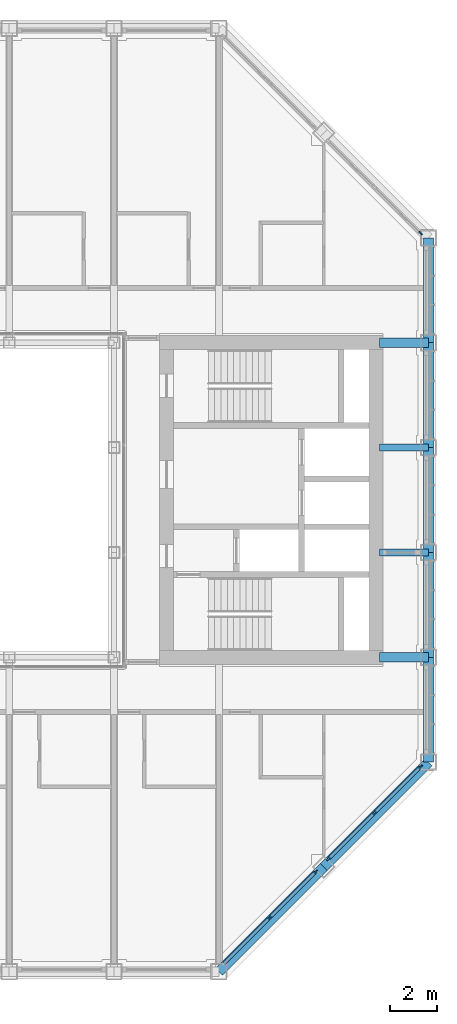
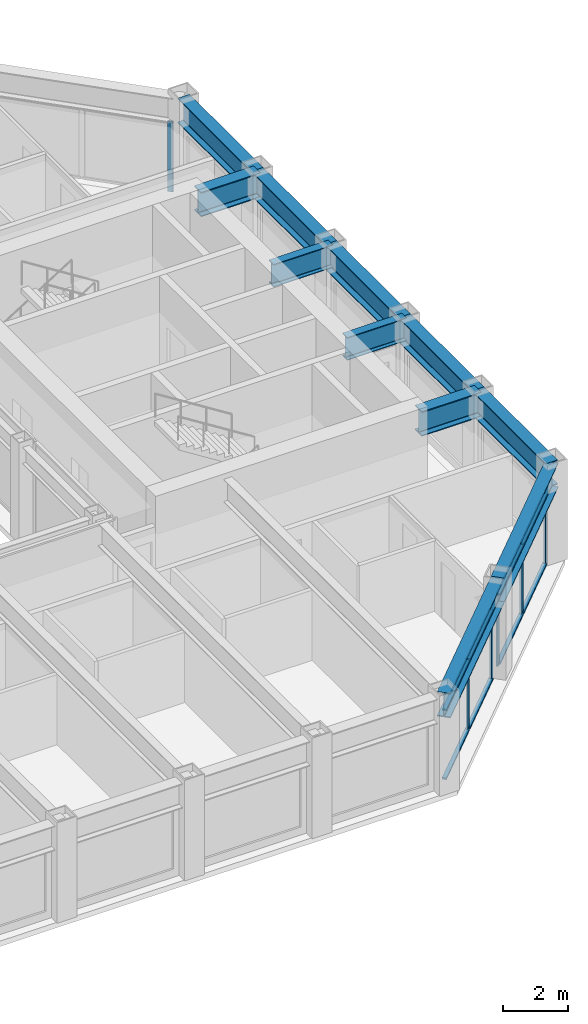
# One storey, part 5 of 18: 14 members, 11 beams, 3 elements without a shape of their own.
"""IFC4 building model written with IfcOpenShell, lengths in metres."""

from ifc_helpers import new_model, si_unit, direction, frame, origin, origin_2d, place, context, subcontext, project, spatial, rectangle, i_section, extrude, material, material_profile, profile_set, type_object, element, aggregate, save


model = new_model("IFC4")

# Units and contexts
model_context = context("Model", 3, precision=1e-05, world=origin(), true_north=direction((0.0, 1.0)))
body_context = subcontext(model_context, "Body", "Model", "MODEL_VIEW")
ifc_project = project(units=[si_unit("LENGTHUNIT", "METRE"), si_unit("AREAUNIT", "SQUARE_METRE"), si_unit("VOLUMEUNIT", "CUBIC_METRE"), si_unit("PLANEANGLEUNIT", "RADIAN"), si_unit("MASSUNIT", "GRAM", prefix="KILO")], contexts=[model_context])

# Site, building, storey
site_placement = place(None, origin())
site = spatial("IfcSite", under=ifc_project, at=site_placement, CompositionType="ELEMENT")
building_placement = place(site_placement, origin())
building = spatial("IfcBuilding", under=site, at=building_placement, Name="Msasa Ring Tower", CompositionType="ELEMENT")
storey_placement = place(building_placement, frame((0.0, 0.0, 204.550048828125)))
storey = spatial("IfcBuildingStorey", under=building, at=storey_placement, Name="L53", CompositionType="ELEMENT", Elevation=204.550048828125)

# Curtain wall, members
ifc_material_1 = material(Name="Aluminium curtain wall with clear glass", Category="aluminium")
curtain_wall_type = type_object("IfcCurtainWallType", Name="CW-C CHAMFER CORNER CURTAIN WALL", PredefinedType="NOTDEFINED", material=ifc_material_1)
curtain_wall_1_placement = place(storey_placement, origin())
curtain_wall_1 = element("IfcCurtainWall", 1, at=curtain_wall_1_placement, inside=storey, type_object=curtain_wall_type, Name="Chamfer corner curtain wall SE L53", PredefinedType="NOTDEFINED")
ifc_material_2 = material(Name="Aluminium mullion", Category="aluminium")
ifc_material_profile_1 = material_profile(ifc_material_2, rectangle(XDim=0.06494140625, YDim=0.179931640625, at=origin_2d()), Name="AL 65x180")
ifc_profile_set_1 = profile_set([ifc_material_profile_1], Name="Aluminium mullion")
member_type_1 = type_object("IfcMemberType", Name="CW-C MULLION 65x180", PredefinedType="MULLION", material=ifc_profile_set_1)
member_1_placement = place(storey_placement, frame((13.42919921875, -17.92919921875, 0.0), z_axis=(0.0, 0.0, 1.0), x_axis=(-0.707106781187, 0.707106781187, 0.0)))
member_1 = element("IfcMember", 2, at=member_1_placement, type_object=member_type_1, Name="CW-C mullion 2", PredefinedType="MULLION", context=body_context, shape_type="SweptSolid", body=[
    extrude(rectangle(XDim=0.06494140625, YDim=0.179931640625, at=origin_2d()), origin(), (0.0, 0.0, 1.0), 2.62890625),
])
member_2_placement = place(storey_placement, frame((15.4052734375, -15.953369140625, 0.0), z_axis=(0.0, 0.0, 1.0), x_axis=(-0.707106781187, 0.707106781187, 0.0)))
member_2 = element("IfcMember", 3, at=member_2_placement, type_object=member_type_1, Name="CW-C mullion 3", PredefinedType="MULLION", context=body_context, shape_type="SweptSolid", body=[
    extrude(rectangle(XDim=0.06494140625, YDim=0.179931640625, at=origin_2d()), origin(), (0.0, 0.0, 1.0), 2.62890625),
])

curtain_wall_2_placement = place(storey_placement, origin())
curtain_wall_2 = element("IfcCurtainWall", 4, at=curtain_wall_2_placement, inside=storey, type_object=curtain_wall_type, Name="Chamfer corner curtain wall SE L53", PredefinedType="NOTDEFINED")
member_3_placement = place(storey_placement, frame((15.953369140625, -15.4052734375, 0.0), z_axis=(0.0, 0.0, 1.0), x_axis=(-0.707106781187, 0.707106781187, 0.0)))
member_3 = element("IfcMember", 5, at=member_3_placement, type_object=member_type_1, Name="CW-C mullion 1", PredefinedType="MULLION", context=body_context, shape_type="SweptSolid", body=[
    extrude(rectangle(XDim=0.06494140625, YDim=0.179931640625, at=origin_2d()), origin(), (0.0, 0.0, 1.0), 2.62890625),
])
member_4_placement = place(storey_placement, frame((17.92919921875, -13.42919921875, 0.0), z_axis=(0.0, 0.0, 1.0), x_axis=(-0.707106781187, 0.707106781187, 0.0)))
member_4 = element("IfcMember", 6, at=member_4_placement, type_object=member_type_1, Name="CW-C mullion 2", PredefinedType="MULLION", context=body_context, shape_type="SweptSolid", body=[
    extrude(rectangle(XDim=0.06494140625, YDim=0.179931640625, at=origin_2d()), origin(), (0.0, 0.0, 1.0), 2.62890625),
])
member_5_placement = place(storey_placement, frame((19.9052734375, -11.453369140625, 0.0), z_axis=(0.0, 0.0, 1.0), x_axis=(-0.707106781187, 0.707106781187, 0.0)))
member_5 = element("IfcMember", 7, at=member_5_placement, type_object=member_type_1, Name="CW-C mullion 3", PredefinedType="MULLION", context=body_context, shape_type="SweptSolid", body=[
    extrude(rectangle(XDim=0.06494140625, YDim=0.179931640625, at=origin_2d()), origin(), (0.0, 0.0, 1.0), 2.62890625),
])

# Curtain wall, member
curtain_wall_3_placement = place(storey_placement, origin())
curtain_wall_3 = element("IfcCurtainWall", 8, at=curtain_wall_3_placement, inside=storey, type_object=curtain_wall_type, Name="Chamfer corner curtain wall NE L53", PredefinedType="NOTDEFINED")
member_6_placement = place(storey_placement, frame((19.9052734375, 11.453369140625, 0.0), z_axis=(0.0, 0.0, 1.0), x_axis=(-0.707106781187, -0.707106781187, 0.0)))
member_6 = element("IfcMember", 9, at=member_6_placement, type_object=member_type_1, Name="CW-C mullion 1", PredefinedType="MULLION", context=body_context, shape_type="SweptSolid", body=[
    extrude(rectangle(XDim=0.06494140625, YDim=0.179931640625, at=origin_2d()), origin(), (0.0, 0.0, 1.0), 2.62890625),
])
aggregate(curtain_wall_3, [member_6])

# Member
ifc_material_3 = material(Name="Aluminium transom", Category="aluminium")
ifc_material_profile_2 = material_profile(ifc_material_3, rectangle(XDim=0.139892578125, YDim=0.06494140625, at=origin_2d()), Name="AL 65x140")
ifc_profile_set_2 = profile_set([ifc_material_profile_2], Name="Aluminium transom")
member_type_2 = type_object("IfcMemberType", Name="CW-C TRANSOM 65x140", PredefinedType="USERDEFINED", material=ifc_profile_set_2)
member_7_placement = place(storey_placement, frame((11.476318359375, -19.88232421875, 0.032470703125), z_axis=(0.707106781187, 0.707106781187, 0.0), x_axis=(-0.707106781187, 0.707106781187, 0.0)))
member_7 = element("IfcMember", 10, at=member_7_placement, type_object=member_type_2, Name="CW-C transom 1.1", ObjectType="TRANSOM", PredefinedType="USERDEFINED", context=body_context, shape_type="SweptSolid", body=[
    extrude(rectangle(XDim=0.139892578125, YDim=0.06494140625, at=origin_2d()), origin(), (0.0, 0.0, 1.0), 2.729248046875),
])

member_8_placement = place(storey_placement, frame((11.476318359375, -19.88232421875, 2.596435546875), z_axis=(0.707106781187, 0.707106781187, 0.0), x_axis=(-0.707106781187, 0.707106781187, 0.0)))
member_8 = element("IfcMember", 11, at=member_8_placement, type_object=member_type_2, Name="CW-C transom 1.2", ObjectType="TRANSOM", PredefinedType="USERDEFINED", context=body_context, shape_type="SweptSolid", body=[
    extrude(rectangle(XDim=0.139892578125, YDim=0.06494140625, at=origin_2d()), origin(), (0.0, 0.0, 1.0), 2.729248046875),
])

member_9_placement = place(storey_placement, frame((13.452392578125, -17.90625, 0.032470703125), z_axis=(0.707106781187, 0.707106781187, 0.0), x_axis=(-0.707106781187, 0.707106781187, 0.0)))
member_9 = element("IfcMember", 12, at=member_9_placement, type_object=member_type_2, Name="CW-C transom 2.1", ObjectType="TRANSOM", PredefinedType="USERDEFINED", context=body_context, shape_type="SweptSolid", body=[
    extrude(rectangle(XDim=0.139892578125, YDim=0.06494140625, at=origin_2d()), origin(), (0.0, 0.0, 1.0), 2.729248046875),
])

member_10_placement = place(storey_placement, frame((13.452392578125, -17.90625, 2.596435546875), z_axis=(0.707106781187, 0.707106781187, 0.0), x_axis=(-0.707106781187, 0.707106781187, 0.0)))
member_10 = element("IfcMember", 13, at=member_10_placement, type_object=member_type_2, Name="CW-C transom 2.2", ObjectType="TRANSOM", PredefinedType="USERDEFINED", context=body_context, shape_type="SweptSolid", body=[
    extrude(rectangle(XDim=0.139892578125, YDim=0.06494140625, at=origin_2d()), origin(), (0.0, 0.0, 1.0), 2.729248046875),
])

aggregate(curtain_wall_1, [member_1, member_2, member_7, member_8, member_9, member_10])

member_11_placement = place(storey_placement, frame((15.976318359375, -15.38232421875, 0.032470703125), z_axis=(0.707106781187, 0.707106781187, 0.0), x_axis=(-0.707106781187, 0.707106781187, 0.0)))
member_11 = element("IfcMember", 14, at=member_11_placement, type_object=member_type_2, Name="CW-C transom 1.1", ObjectType="TRANSOM", PredefinedType="USERDEFINED", context=body_context, shape_type="SweptSolid", body=[
    extrude(rectangle(XDim=0.139892578125, YDim=0.06494140625, at=origin_2d()), origin(), (0.0, 0.0, 1.0), 2.729248046875),
])

member_12_placement = place(storey_placement, frame((15.976318359375, -15.38232421875, 2.596435546875), z_axis=(0.707106781187, 0.707106781187, 0.0), x_axis=(-0.707106781187, 0.707106781187, 0.0)))
member_12 = element("IfcMember", 15, at=member_12_placement, type_object=member_type_2, Name="CW-C transom 1.2", ObjectType="TRANSOM", PredefinedType="USERDEFINED", context=body_context, shape_type="SweptSolid", body=[
    extrude(rectangle(XDim=0.139892578125, YDim=0.06494140625, at=origin_2d()), origin(), (0.0, 0.0, 1.0), 2.729248046875),
])

member_13_placement = place(storey_placement, frame((17.952392578125, -13.40625, 0.032470703125), z_axis=(0.707106781187, 0.707106781187, 0.0), x_axis=(-0.707106781187, 0.707106781187, 0.0)))
member_13 = element("IfcMember", 16, at=member_13_placement, type_object=member_type_2, Name="CW-C transom 2.1", ObjectType="TRANSOM", PredefinedType="USERDEFINED", context=body_context, shape_type="SweptSolid", body=[
    extrude(rectangle(XDim=0.139892578125, YDim=0.06494140625, at=origin_2d()), origin(), (0.0, 0.0, 1.0), 2.729248046875),
])

member_14_placement = place(storey_placement, frame((17.952392578125, -13.40625, 2.596435546875), z_axis=(0.707106781187, 0.707106781187, 0.0), x_axis=(-0.707106781187, 0.707106781187, 0.0)))
member_14 = element("IfcMember", 17, at=member_14_placement, type_object=member_type_2, Name="CW-C transom 2.2", ObjectType="TRANSOM", PredefinedType="USERDEFINED", context=body_context, shape_type="SweptSolid", body=[
    extrude(rectangle(XDim=0.139892578125, YDim=0.06494140625, at=origin_2d()), origin(), (0.0, 0.0, 1.0), 2.729248046875),
])

aggregate(curtain_wall_2, [member_3, member_4, member_5, member_11, member_12, member_13, member_14])

# Beams
ifc_material_4 = material(Name="Steel S355", Category="steel")
ifc_material_profile_3 = material_profile(ifc_material_4, i_section(OverallWidth=0.293701171875, OverallDepth=0.850830078125, WebThickness=0.01611328125, FlangeThickness=0.02685546875, FilletRadius=0.017822265625, at=origin_2d()), Name="UB 838x292x226")
ifc_profile_set_3 = profile_set([ifc_material_profile_3], Name="Steel S355")
beam_type_1 = type_object("IfcBeamType", Name="FB5 UB 838x292x226", PredefinedType="BEAM", material=ifc_profile_set_3)
for number, where, z_axis, x_axis, name in (
    (18, (20.25, -2.25, 3.12451171875), (-1.0, 0.0, 0.0), (0.0, -1.0, 0.0), "Floor beam E -2.25 under L54"),
    (19, (20.25, 2.25, 3.12451171875), (-1.0, 0.0, 0.0), (0.0, -1.0, 0.0), "Floor beam E +2.25 under L54"),
):
    element("IfcBeam", number, at=place(storey_placement, frame(where, z_axis=z_axis, x_axis=x_axis)), inside=storey, type_object=beam_type_1, Name=name, PredefinedType="BEAM", context=body_context, shape_type="SweptSolid", body=[
        extrude(i_section(OverallWidth=0.293701171875, OverallDepth=0.850830078125, WebThickness=0.01611328125, FlangeThickness=0.02685546875, FilletRadius=0.017822265625, at=origin_2d()), origin(), (0.0, 0.0, 1.0), 2.10009765625),
    ])
ifc_material_5 = material(Name="Steel S355", Category="steel")
ifc_material_profile_4 = material_profile(ifc_material_5, i_section(OverallWidth=0.42041015625, OverallDepth=0.9208984375, WebThickness=0.021484375, FlangeThickness=0.03662109375, FilletRadius=0.024169921875, at=origin_2d()), Name="UB 914x419x388")
ifc_profile_set_4 = profile_set([ifc_material_profile_4], Name="Steel S355")
beam_type_2 = type_object("IfcBeamType", Name="GB1 UB 914x419x388", PredefinedType="BEAM", material=ifc_profile_set_4)
for number, where, z_axis, x_axis, name in (
    (20, (18.14990234375, 6.75, 3.08935546875), (1.0, 0.0, 0.0), (0.0, 1.0, 0.0), "Girder E +6.75 under L54"),
    (21, (18.14990234375, -6.75, 3.08935546875), (1.0, 0.0, 0.0), (0.0, 1.0, 0.0), "Girder E -6.75 under L54"),
):
    element("IfcBeam", number, at=place(storey_placement, frame(where, z_axis=z_axis, x_axis=x_axis)), inside=storey, type_object=beam_type_2, Name=name, PredefinedType="BEAM", context=body_context, shape_type="SweptSolid", body=[
        extrude(i_section(OverallWidth=0.42041015625, OverallDepth=0.9208984375, WebThickness=0.021484375, FlangeThickness=0.03662109375, FilletRadius=0.024169921875, at=origin_2d()), origin(), (0.0, 0.0, 1.0), 2.10009765625),
    ])
ifc_material_6 = material(Name="Steel S355", Category="steel")
ifc_material_profile_5 = material_profile(ifc_material_6, i_section(OverallWidth=0.42041015625, OverallDepth=0.9208984375, WebThickness=0.021484375, FlangeThickness=0.03662109375, FilletRadius=0.024169921875, at=origin_2d()), Name="UB 914x419x388")
ifc_profile_set_5 = profile_set([ifc_material_profile_5], Name="Steel S355")
beam_type_3 = type_object("IfcBeamType", Name="SB1 UB 914x419x388", PredefinedType="SPANDREL", material=ifc_profile_set_5)
for number, where, z_axis, x_axis, name in (
    (22, (11.25, -20.25, 3.08935546875), (0.707106781187, 0.707106781187, 0.0), (-0.707106781187, 0.707106781187, 0.0), "Spandrel S+11.25 to SE under L54"),
    (23, (15.75, -15.75, 3.08935546875), (0.707106781187, 0.707106781187, 0.0), (-0.707106781187, 0.707106781187, 0.0), "Spandrel SE to E-11.25 under L54"),
):
    element("IfcBeam", number, at=place(storey_placement, frame(where, z_axis=z_axis, x_axis=x_axis)), inside=storey, type_object=beam_type_3, Name=name, PredefinedType="SPANDREL", context=body_context, shape_type="SweptSolid", body=[
        extrude(i_section(OverallWidth=0.42041015625, OverallDepth=0.9208984375, WebThickness=0.021484375, FlangeThickness=0.03662109375, FilletRadius=0.024169921875, at=origin_2d()), origin(), (0.0, 0.0, 1.0), 6.364013671875),
    ])
for number, where, z_axis, x_axis, name in (
    (24, (20.25, -11.25, 3.08935546875), (0.0, 1.0, 0.0), (-1.0, 0.0, 0.0), "Spandrel E-11.25 to E-6.75 under L54"),
    (25, (20.25, -6.75, 3.08935546875), (0.0, 1.0, 0.0), (-1.0, 0.0, 0.0), "Spandrel E-6.75 to E-2.25 under L54"),
    (26, (20.25, -2.25, 3.08935546875), (0.0, 1.0, 0.0), (-1.0, 0.0, 0.0), "Spandrel E-2.25 to E+2.25 under L54"),
    (27, (20.25, 2.25, 3.08935546875), (0.0, 1.0, 0.0), (-1.0, 0.0, 0.0), "Spandrel E+2.25 to E+6.75 under L54"),
    (28, (20.25, 6.75, 3.08935546875), (0.0, 1.0, 0.0), (-1.0, 0.0, 0.0), "Spandrel E+6.75 to E+11.25 under L54"),
):
    element("IfcBeam", number, at=place(storey_placement, frame(where, z_axis=z_axis, x_axis=x_axis)), inside=storey, type_object=beam_type_3, Name=name, PredefinedType="SPANDREL", context=body_context, shape_type="SweptSolid", body=[
        extrude(i_section(OverallWidth=0.42041015625, OverallDepth=0.9208984375, WebThickness=0.021484375, FlangeThickness=0.03662109375, FilletRadius=0.024169921875, at=origin_2d()), origin(), (0.0, 0.0, 1.0), 4.5),
    ])

save(model, "model.ifc")
